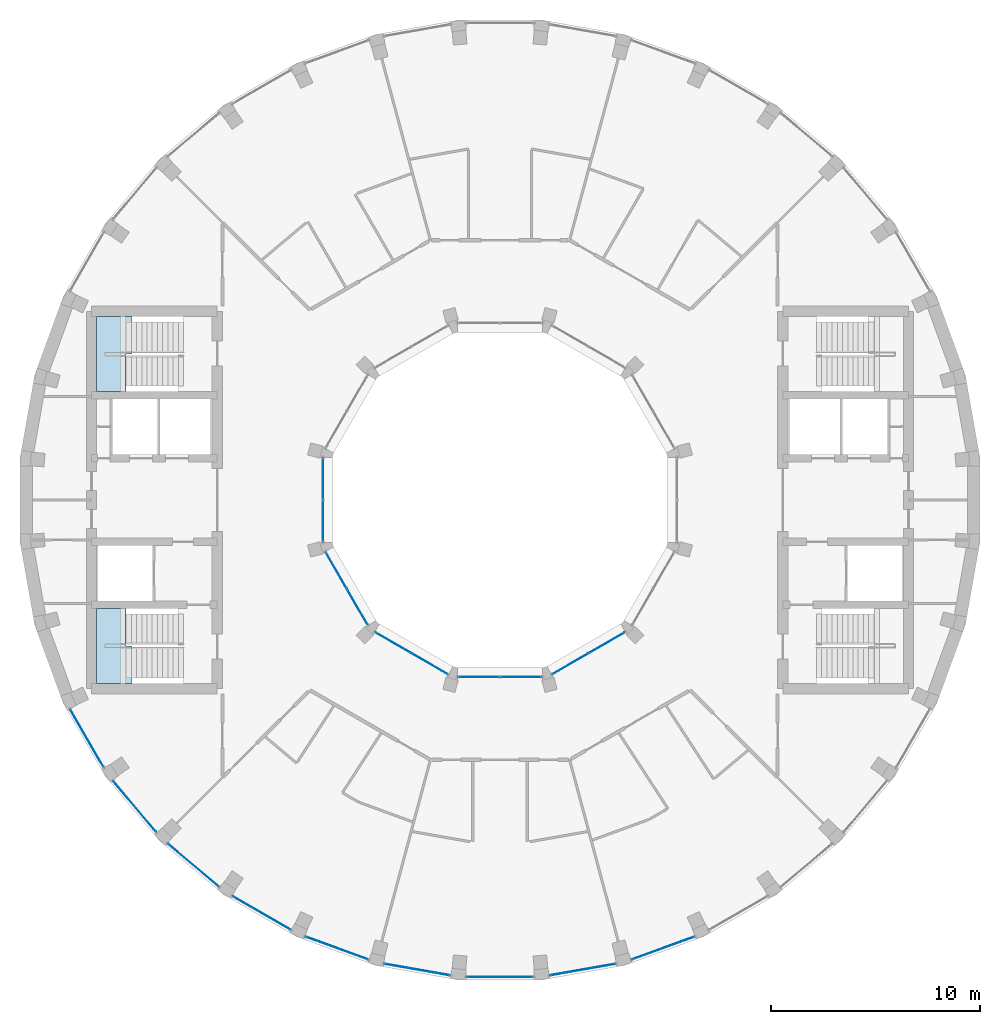
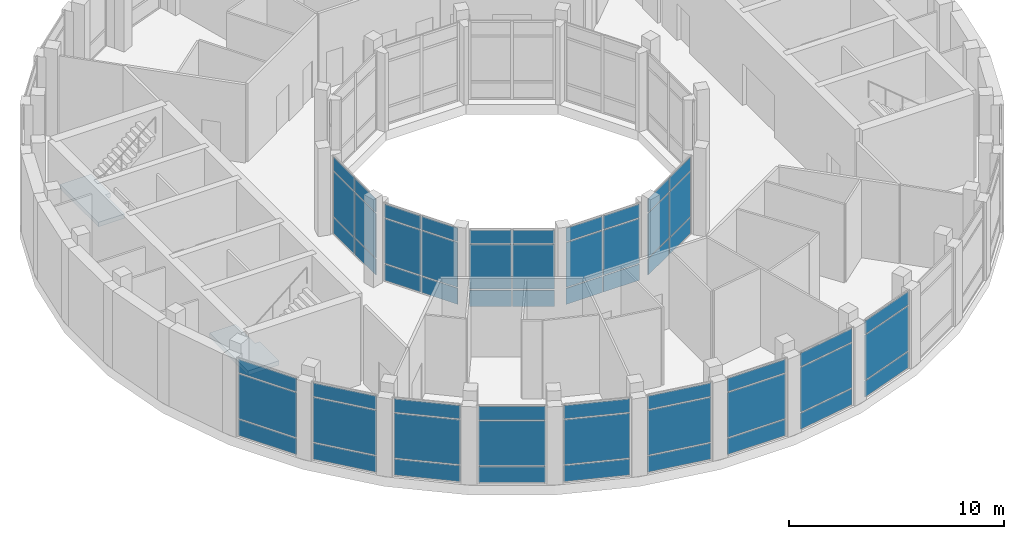
# One storey, part 8 of 16: 57 plates, 2 slabs, 16 elements without a shape of their own.
"""IFC4 building model written with IfcOpenShell, lengths in metres."""

from ifc_helpers import new_model, si_unit, direction, frame, origin, origin_2d, place, context, subcontext, project, spatial, polyline, rectangle, outline, extrude, material, layer, layer_set, type_object, element, aggregate, save


model = new_model("IFC4")

# Units and contexts
model_context = context("Model", 3, precision=1e-05, world=origin(), true_north=direction((0.0, 1.0)))
body_context = subcontext(model_context, "Body", "Model", "MODEL_VIEW")
ifc_project = project(units=[si_unit("LENGTHUNIT", "METRE"), si_unit("AREAUNIT", "SQUARE_METRE"), si_unit("VOLUMEUNIT", "CUBIC_METRE"), si_unit("PLANEANGLEUNIT", "RADIAN"), si_unit("MASSUNIT", "GRAM", prefix="KILO")], contexts=[model_context])

# Site, building, storey
site_placement = place(None, origin())
site = spatial("IfcSite", under=ifc_project, at=site_placement, CompositionType="ELEMENT")
building_placement = place(site_placement, origin())
building = spatial("IfcBuilding", under=site, at=building_placement, Name="Saqina Gate Tower", CompositionType="ELEMENT")
storey_placement = place(building_placement, frame((0.0, 0.0, 279.199951171875)))
storey = spatial("IfcBuildingStorey", under=building, at=storey_placement, Name="L80", CompositionType="ELEMENT", Elevation=279.199951171875)

# Curtain wall, plates
ifc_material_1 = material(Name="Aluminium glazing", Category="aluminium")
ifc_layer_1 = layer(ifc_material_1, 0.159912109375)
ifc_layer_set_1 = layer_set([ifc_layer_1], Name="CWT-2")
curtain_wall_type_1 = type_object("IfcCurtainWallType", Name="CWT-2", PredefinedType="NOTDEFINED", material=ifc_layer_set_1)
curtain_wall_1_placement = place(storey_placement, origin())
curtain_wall_1 = element("IfcCurtainWall", 1, at=curtain_wall_1_placement, inside=storey, type_object=curtain_wall_type_1, Name="Sky lounge glazing facet 21", PredefinedType="NOTDEFINED")
ifc_material_2 = material(Name="Glass", Category="glass")
ifc_layer_2 = layer(ifc_material_2, 0.028076171875)
ifc_layer_set_2 = layer_set([ifc_layer_2], Name="CWT-2P")
plate_type_1 = type_object("IfcPlateType", Name="CWT-2P", PredefinedType="CURTAIN_PANEL", material=ifc_layer_set_2)
plate_1_placement = place(storey_placement, frame((-19.712890625, -11.38134765625, 0.06005859375), z_axis=(0.0, 0.0, 1.0), x_axis=(0.499982449212, -0.8660355365, 0.0)))
plate_1 = element("IfcPlate", 2, at=plate_1_placement, type_object=plate_type_1, Name="CW2-21 panel 1.1", PredefinedType="CURTAIN_PANEL", context=body_context, shape_type="SweptSolid", body=[
    extrude(rectangle(XDim=3.1318359375, YDim=0.028076171875, at=origin_2d()), origin(), (0.0, 0.0, 1.0), 0.909912109375),
])
plate_2_placement = place(storey_placement, frame((-19.712890625, -11.38134765625, 1.030029296875), z_axis=(0.0, 0.0, 1.0), x_axis=(0.499982449212, -0.8660355365, 0.0)))
plate_2 = element("IfcPlate", 3, at=plate_2_placement, type_object=plate_type_1, Name="CW2-21 panel 1.2", PredefinedType="CURTAIN_PANEL", context=body_context, shape_type="SweptSolid", body=[
    extrude(rectangle(XDim=3.1318359375, YDim=0.028076171875, at=origin_2d()), origin(), (0.0, 0.0, 1.0), 2.5400390625),
])
plate_3_placement = place(storey_placement, frame((-19.712890625, -11.38134765625, 3.6298828125), z_axis=(0.0, 0.0, 1.0), x_axis=(0.499982449212, -0.8660355365, 0.0)))
plate_3 = element("IfcPlate", 4, at=plate_3_placement, type_object=plate_type_1, Name="CW2-21 panel 1.3", PredefinedType="CURTAIN_PANEL", context=body_context, shape_type="SweptSolid", body=[
    extrude(rectangle(XDim=3.1318359375, YDim=0.028076171875, at=origin_2d()), origin(), (0.0, 0.0, 1.0), 0.760009765625),
])
aggregate(curtain_wall_1, [plate_1, plate_2, plate_3])

curtain_wall_2_placement = place(storey_placement, origin())
curtain_wall_2 = element("IfcCurtainWall", 5, at=curtain_wall_2_placement, inside=storey, type_object=curtain_wall_type_1, Name="Sky lounge glazing facet 22", PredefinedType="NOTDEFINED")
plate_4_placement = place(storey_placement, frame((-17.43701171875, -14.63134765625, 0.06005859375), z_axis=(0.0, 0.0, 1.0), x_axis=(0.642785214609, -0.766046452821, 0.0)))
plate_4 = element("IfcPlate", 6, at=plate_4_placement, type_object=plate_type_1, Name="CW2-22 panel 1.1", PredefinedType="CURTAIN_PANEL", context=body_context, shape_type="SweptSolid", body=[
    extrude(rectangle(XDim=3.131591796875, YDim=0.028076171875, at=origin_2d()), origin(), (0.0, 0.0, 1.0), 0.909912109375),
])
plate_5_placement = place(storey_placement, frame((-17.43701171875, -14.63134765625, 1.030029296875), z_axis=(0.0, 0.0, 1.0), x_axis=(0.642785214609, -0.766046452821, 0.0)))
plate_5 = element("IfcPlate", 7, at=plate_5_placement, type_object=plate_type_1, Name="CW2-22 panel 1.2", PredefinedType="CURTAIN_PANEL", context=body_context, shape_type="SweptSolid", body=[
    extrude(rectangle(XDim=3.131591796875, YDim=0.028076171875, at=origin_2d()), origin(), (0.0, 0.0, 1.0), 2.5400390625),
])
plate_6_placement = place(storey_placement, frame((-17.43701171875, -14.63134765625, 3.6298828125), z_axis=(0.0, 0.0, 1.0), x_axis=(0.642785214609, -0.766046452821, 0.0)))
plate_6 = element("IfcPlate", 8, at=plate_6_placement, type_object=plate_type_1, Name="CW2-22 panel 1.3", PredefinedType="CURTAIN_PANEL", context=body_context, shape_type="SweptSolid", body=[
    extrude(rectangle(XDim=3.131591796875, YDim=0.028076171875, at=origin_2d()), origin(), (0.0, 0.0, 1.0), 0.760009765625),
])
aggregate(curtain_wall_2, [plate_4, plate_5, plate_6])

curtain_wall_3_placement = place(storey_placement, origin())
curtain_wall_3 = element("IfcCurtainWall", 9, at=curtain_wall_3_placement, inside=storey, type_object=curtain_wall_type_1, Name="Sky lounge glazing facet 23", PredefinedType="NOTDEFINED")
plate_7_placement = place(storey_placement, frame((-14.63134765625, -17.43701171875, 0.06005859375), z_axis=(0.0, 0.0, 1.0), x_axis=(0.766046452821, -0.642785214609, 0.0)))
plate_7 = element("IfcPlate", 10, at=plate_7_placement, type_object=plate_type_1, Name="CW2-23 panel 1.1", PredefinedType="CURTAIN_PANEL", context=body_context, shape_type="SweptSolid", body=[
    extrude(rectangle(XDim=3.131591796875, YDim=0.028076171875, at=origin_2d()), origin(), (0.0, 0.0, 1.0), 0.909912109375),
])
plate_8_placement = place(storey_placement, frame((-14.63134765625, -17.43701171875, 1.030029296875), z_axis=(0.0, 0.0, 1.0), x_axis=(0.766046452821, -0.642785214609, 0.0)))
plate_8 = element("IfcPlate", 11, at=plate_8_placement, type_object=plate_type_1, Name="CW2-23 panel 1.2", PredefinedType="CURTAIN_PANEL", context=body_context, shape_type="SweptSolid", body=[
    extrude(rectangle(XDim=3.131591796875, YDim=0.028076171875, at=origin_2d()), origin(), (0.0, 0.0, 1.0), 2.5400390625),
])
plate_9_placement = place(storey_placement, frame((-14.63134765625, -17.43701171875, 3.6298828125), z_axis=(0.0, 0.0, 1.0), x_axis=(0.766046452821, -0.642785214609, 0.0)))
plate_9 = element("IfcPlate", 12, at=plate_9_placement, type_object=plate_type_1, Name="CW2-23 panel 1.3", PredefinedType="CURTAIN_PANEL", context=body_context, shape_type="SweptSolid", body=[
    extrude(rectangle(XDim=3.131591796875, YDim=0.028076171875, at=origin_2d()), origin(), (0.0, 0.0, 1.0), 0.760009765625),
])
aggregate(curtain_wall_3, [plate_7, plate_8, plate_9])

curtain_wall_4_placement = place(storey_placement, origin())
curtain_wall_4 = element("IfcCurtainWall", 13, at=curtain_wall_4_placement, inside=storey, type_object=curtain_wall_type_1, Name="Sky lounge glazing facet 24", PredefinedType="NOTDEFINED")
plate_10_placement = place(storey_placement, frame((-11.38134765625, -19.712890625, 0.06005859375), z_axis=(0.0, 0.0, 1.0), x_axis=(0.8660355365, -0.499982449212, 0.0)))
plate_10 = element("IfcPlate", 14, at=plate_10_placement, type_object=plate_type_1, Name="CW2-24 panel 1.1", PredefinedType="CURTAIN_PANEL", context=body_context, shape_type="SweptSolid", body=[
    extrude(rectangle(XDim=3.1318359375, YDim=0.028076171875, at=origin_2d()), origin(), (0.0, 0.0, 1.0), 0.909912109375),
])
plate_11_placement = place(storey_placement, frame((-11.38134765625, -19.712890625, 1.030029296875), z_axis=(0.0, 0.0, 1.0), x_axis=(0.8660355365, -0.499982449212, 0.0)))
plate_11 = element("IfcPlate", 15, at=plate_11_placement, type_object=plate_type_1, Name="CW2-24 panel 1.2", PredefinedType="CURTAIN_PANEL", context=body_context, shape_type="SweptSolid", body=[
    extrude(rectangle(XDim=3.1318359375, YDim=0.028076171875, at=origin_2d()), origin(), (0.0, 0.0, 1.0), 2.5400390625),
])
plate_12_placement = place(storey_placement, frame((-11.38134765625, -19.712890625, 3.6298828125), z_axis=(0.0, 0.0, 1.0), x_axis=(0.8660355365, -0.499982449212, 0.0)))
plate_12 = element("IfcPlate", 16, at=plate_12_placement, type_object=plate_type_1, Name="CW2-24 panel 1.3", PredefinedType="CURTAIN_PANEL", context=body_context, shape_type="SweptSolid", body=[
    extrude(rectangle(XDim=3.1318359375, YDim=0.028076171875, at=origin_2d()), origin(), (0.0, 0.0, 1.0), 0.760009765625),
])
aggregate(curtain_wall_4, [plate_10, plate_11, plate_12])

curtain_wall_5_placement = place(storey_placement, origin())
curtain_wall_5 = element("IfcCurtainWall", 17, at=curtain_wall_5_placement, inside=storey, type_object=curtain_wall_type_1, Name="Sky lounge glazing facet 25", PredefinedType="NOTDEFINED")
plate_13_placement = place(storey_placement, frame((-7.78515625, -21.3896484375, 0.06005859375), z_axis=(0.0, 0.0, 1.0), x_axis=(0.939697310402, -0.342007258437, 0.0)))
plate_13 = element("IfcPlate", 18, at=plate_13_placement, type_object=plate_type_1, Name="CW2-25 panel 1.1", PredefinedType="CURTAIN_PANEL", context=body_context, shape_type="SweptSolid", body=[
    extrude(rectangle(XDim=3.131591796875, YDim=0.028076171875, at=origin_2d()), origin(), (0.0, 0.0, 1.0), 0.909912109375),
])
plate_14_placement = place(storey_placement, frame((-7.78515625, -21.3896484375, 1.030029296875), z_axis=(0.0, 0.0, 1.0), x_axis=(0.939697310402, -0.342007258437, 0.0)))
plate_14 = element("IfcPlate", 19, at=plate_14_placement, type_object=plate_type_1, Name="CW2-25 panel 1.2", PredefinedType="CURTAIN_PANEL", context=body_context, shape_type="SweptSolid", body=[
    extrude(rectangle(XDim=3.131591796875, YDim=0.028076171875, at=origin_2d()), origin(), (0.0, 0.0, 1.0), 2.5400390625),
])
plate_15_placement = place(storey_placement, frame((-7.78515625, -21.3896484375, 3.6298828125), z_axis=(0.0, 0.0, 1.0), x_axis=(0.939697310402, -0.342007258437, 0.0)))
plate_15 = element("IfcPlate", 20, at=plate_15_placement, type_object=plate_type_1, Name="CW2-25 panel 1.3", PredefinedType="CURTAIN_PANEL", context=body_context, shape_type="SweptSolid", body=[
    extrude(rectangle(XDim=3.131591796875, YDim=0.028076171875, at=origin_2d()), origin(), (0.0, 0.0, 1.0), 0.760009765625),
])
aggregate(curtain_wall_5, [plate_13, plate_14, plate_15])

curtain_wall_6_placement = place(storey_placement, origin())
curtain_wall_6 = element("IfcCurtainWall", 21, at=curtain_wall_6_placement, inside=storey, type_object=curtain_wall_type_1, Name="Sky lounge glazing facet 26", PredefinedType="NOTDEFINED")
plate_16_placement = place(storey_placement, frame((-3.95263671875, -22.416748046875, 0.06005859375), z_axis=(0.0, 0.0, 1.0), x_axis=(0.984805222779, -0.173662526718, 0.0)))
plate_16 = element("IfcPlate", 22, at=plate_16_placement, type_object=plate_type_1, Name="CW2-26 panel 1.1", PredefinedType="CURTAIN_PANEL", context=body_context, shape_type="SweptSolid", body=[
    extrude(rectangle(XDim=3.131591796875, YDim=0.028076171875, at=origin_2d()), origin(), (0.0, 0.0, 1.0), 0.909912109375),
])
plate_17_placement = place(storey_placement, frame((-3.95263671875, -22.416748046875, 1.030029296875), z_axis=(0.0, 0.0, 1.0), x_axis=(0.984805222779, -0.173662526718, 0.0)))
plate_17 = element("IfcPlate", 23, at=plate_17_placement, type_object=plate_type_1, Name="CW2-26 panel 1.2", PredefinedType="CURTAIN_PANEL", context=body_context, shape_type="SweptSolid", body=[
    extrude(rectangle(XDim=3.131591796875, YDim=0.028076171875, at=origin_2d()), origin(), (0.0, 0.0, 1.0), 2.5400390625),
])
plate_18_placement = place(storey_placement, frame((-3.95263671875, -22.416748046875, 3.6298828125), z_axis=(0.0, 0.0, 1.0), x_axis=(0.984805222779, -0.173662526718, 0.0)))
plate_18 = element("IfcPlate", 24, at=plate_18_placement, type_object=plate_type_1, Name="CW2-26 panel 1.3", PredefinedType="CURTAIN_PANEL", context=body_context, shape_type="SweptSolid", body=[
    extrude(rectangle(XDim=3.131591796875, YDim=0.028076171875, at=origin_2d()), origin(), (0.0, 0.0, 1.0), 0.760009765625),
])
aggregate(curtain_wall_6, [plate_16, plate_17, plate_18])

curtain_wall_7_placement = place(storey_placement, origin())
curtain_wall_7 = element("IfcCurtainWall", 25, at=curtain_wall_7_placement, inside=storey, type_object=curtain_wall_type_1, Name="Sky lounge glazing facet 27", PredefinedType="NOTDEFINED")
plate_19_placement = place(storey_placement, frame((0.0, -22.762451171875, 0.06005859375), z_axis=(0.0, 0.0, 1.0), x_axis=(1.0, 0.0, 0.0)))
plate_19 = element("IfcPlate", 26, at=plate_19_placement, type_object=plate_type_1, Name="CW2-27 panel 1.1", PredefinedType="CURTAIN_PANEL", context=body_context, shape_type="SweptSolid", body=[
    extrude(rectangle(XDim=3.131591796875, YDim=0.028076171875, at=origin_2d()), origin(), (0.0, 0.0, 1.0), 0.909912109375),
])
plate_20_placement = place(storey_placement, frame((0.0, -22.762451171875, 1.030029296875), z_axis=(0.0, 0.0, 1.0), x_axis=(1.0, 0.0, 0.0)))
plate_20 = element("IfcPlate", 27, at=plate_20_placement, type_object=plate_type_1, Name="CW2-27 panel 1.2", PredefinedType="CURTAIN_PANEL", context=body_context, shape_type="SweptSolid", body=[
    extrude(rectangle(XDim=3.131591796875, YDim=0.028076171875, at=origin_2d()), origin(), (0.0, 0.0, 1.0), 2.5400390625),
])
plate_21_placement = place(storey_placement, frame((0.0, -22.762451171875, 3.6298828125), z_axis=(0.0, 0.0, 1.0), x_axis=(1.0, 0.0, 0.0)))
plate_21 = element("IfcPlate", 28, at=plate_21_placement, type_object=plate_type_1, Name="CW2-27 panel 1.3", PredefinedType="CURTAIN_PANEL", context=body_context, shape_type="SweptSolid", body=[
    extrude(rectangle(XDim=3.131591796875, YDim=0.028076171875, at=origin_2d()), origin(), (0.0, 0.0, 1.0), 0.760009765625),
])
aggregate(curtain_wall_7, [plate_19, plate_20, plate_21])

curtain_wall_8_placement = place(storey_placement, origin())
curtain_wall_8 = element("IfcCurtainWall", 29, at=curtain_wall_8_placement, inside=storey, type_object=curtain_wall_type_1, Name="Sky lounge glazing facet 28", PredefinedType="NOTDEFINED")
plate_22_placement = place(storey_placement, frame((3.95263671875, -22.416748046875, 0.06005859375), z_axis=(0.0, 0.0, 1.0), x_axis=(0.984805222779, 0.173662526718, 0.0)))
plate_22 = element("IfcPlate", 30, at=plate_22_placement, type_object=plate_type_1, Name="CW2-28 panel 1.1", PredefinedType="CURTAIN_PANEL", context=body_context, shape_type="SweptSolid", body=[
    extrude(rectangle(XDim=3.131591796875, YDim=0.028076171875, at=origin_2d()), origin(), (0.0, 0.0, 1.0), 0.909912109375),
])
plate_23_placement = place(storey_placement, frame((3.95263671875, -22.416748046875, 1.030029296875), z_axis=(0.0, 0.0, 1.0), x_axis=(0.984805222779, 0.173662526718, 0.0)))
plate_23 = element("IfcPlate", 31, at=plate_23_placement, type_object=plate_type_1, Name="CW2-28 panel 1.2", PredefinedType="CURTAIN_PANEL", context=body_context, shape_type="SweptSolid", body=[
    extrude(rectangle(XDim=3.131591796875, YDim=0.028076171875, at=origin_2d()), origin(), (0.0, 0.0, 1.0), 2.5400390625),
])
plate_24_placement = place(storey_placement, frame((3.95263671875, -22.416748046875, 3.6298828125), z_axis=(0.0, 0.0, 1.0), x_axis=(0.984805222779, 0.173662526718, 0.0)))
plate_24 = element("IfcPlate", 32, at=plate_24_placement, type_object=plate_type_1, Name="CW2-28 panel 1.3", PredefinedType="CURTAIN_PANEL", context=body_context, shape_type="SweptSolid", body=[
    extrude(rectangle(XDim=3.131591796875, YDim=0.028076171875, at=origin_2d()), origin(), (0.0, 0.0, 1.0), 0.760009765625),
])
aggregate(curtain_wall_8, [plate_22, plate_23, plate_24])

curtain_wall_9_placement = place(storey_placement, origin())
curtain_wall_9 = element("IfcCurtainWall", 33, at=curtain_wall_9_placement, inside=storey, type_object=curtain_wall_type_1, Name="Sky lounge glazing facet 29", PredefinedType="NOTDEFINED")
plate_25_placement = place(storey_placement, frame((7.78515625, -21.3896484375, 0.06005859375), z_axis=(0.0, 0.0, 1.0), x_axis=(0.939697310402, 0.342007258437, 0.0)))
plate_25 = element("IfcPlate", 34, at=plate_25_placement, type_object=plate_type_1, Name="CW2-29 panel 1.1", PredefinedType="CURTAIN_PANEL", context=body_context, shape_type="SweptSolid", body=[
    extrude(rectangle(XDim=3.131591796875, YDim=0.028076171875, at=origin_2d()), origin(), (0.0, 0.0, 1.0), 0.909912109375),
])
plate_26_placement = place(storey_placement, frame((7.78515625, -21.3896484375, 1.030029296875), z_axis=(0.0, 0.0, 1.0), x_axis=(0.939697310402, 0.342007258437, 0.0)))
plate_26 = element("IfcPlate", 35, at=plate_26_placement, type_object=plate_type_1, Name="CW2-29 panel 1.2", PredefinedType="CURTAIN_PANEL", context=body_context, shape_type="SweptSolid", body=[
    extrude(rectangle(XDim=3.131591796875, YDim=0.028076171875, at=origin_2d()), origin(), (0.0, 0.0, 1.0), 2.5400390625),
])
plate_27_placement = place(storey_placement, frame((7.78515625, -21.3896484375, 3.6298828125), z_axis=(0.0, 0.0, 1.0), x_axis=(0.939697310402, 0.342007258437, 0.0)))
plate_27 = element("IfcPlate", 36, at=plate_27_placement, type_object=plate_type_1, Name="CW2-29 panel 1.3", PredefinedType="CURTAIN_PANEL", context=body_context, shape_type="SweptSolid", body=[
    extrude(rectangle(XDim=3.131591796875, YDim=0.028076171875, at=origin_2d()), origin(), (0.0, 0.0, 1.0), 0.760009765625),
])
aggregate(curtain_wall_9, [plate_25, plate_26, plate_27])

ifc_material_3 = material(Name="Aluminium glazing", Category="aluminium")
ifc_layer_3 = layer(ifc_material_3, 0.159912109375)
ifc_layer_set_3 = layer_set([ifc_layer_3], Name="CWT-3")
curtain_wall_type_2 = type_object("IfcCurtainWallType", Name="CWT-3", PredefinedType="NOTDEFINED", material=ifc_layer_set_3)
curtain_wall_10_placement = place(storey_placement, origin())
curtain_wall_10 = element("IfcCurtainWall", 37, at=curtain_wall_10_placement, inside=storey, type_object=curtain_wall_type_2, Name="Sky lounge well glazing L80 facet 6", PredefinedType="NOTDEFINED")
ifc_material_4 = material(Name="Glass", Category="glass")
ifc_layer_4 = layer(ifc_material_4, 0.028076171875)
ifc_layer_set_4 = layer_set([ifc_layer_4], Name="CWT-3P")
plate_type_2 = type_object("IfcPlateType", Name="CWT-3P", PredefinedType="CURTAIN_PANEL", material=ifc_layer_set_4)
plate_28_placement = place(storey_placement, frame((-8.449951171875, 0.999755859375, 0.06005859375), z_axis=(0.0, 0.0, 1.0), x_axis=(0.0, -1.0, 0.0)))
plate_28 = element("IfcPlate", 38, at=plate_28_placement, type_object=plate_type_2, Name="CW3-06 panel 1.1", PredefinedType="CURTAIN_PANEL", context=body_context, shape_type="SweptSolid", body=[
    extrude(rectangle(XDim=1.939453125, YDim=0.028076171875, at=origin_2d()), origin(), (0.0, 0.0, 1.0), 0.909912109375),
])
plate_29_placement = place(storey_placement, frame((-8.449951171875, 0.999755859375, 1.030029296875), z_axis=(0.0, 0.0, 1.0), x_axis=(0.0, -1.0, 0.0)))
plate_29 = element("IfcPlate", 39, at=plate_29_placement, type_object=plate_type_2, Name="CW3-06 panel 1.2", PredefinedType="CURTAIN_PANEL", context=body_context, shape_type="SweptSolid", body=[
    extrude(rectangle(XDim=1.939453125, YDim=0.028076171875, at=origin_2d()), origin(), (0.0, 0.0, 1.0), 2.5400390625),
])
plate_30_placement = place(storey_placement, frame((-8.449951171875, 0.999755859375, 3.6298828125), z_axis=(0.0, 0.0, 1.0), x_axis=(0.0, -1.0, 0.0)))
plate_30 = element("IfcPlate", 40, at=plate_30_placement, type_object=plate_type_2, Name="CW3-06 panel 1.3", PredefinedType="CURTAIN_PANEL", context=body_context, shape_type="SweptSolid", body=[
    extrude(rectangle(XDim=1.939453125, YDim=0.028076171875, at=origin_2d()), origin(), (0.0, 0.0, 1.0), 0.760009765625),
])
plate_31_placement = place(storey_placement, frame((-8.449951171875, -0.999755859375, 0.06005859375), z_axis=(0.0, 0.0, 1.0), x_axis=(0.0, -1.0, 0.0)))
plate_31 = element("IfcPlate", 41, at=plate_31_placement, type_object=plate_type_2, Name="CW3-06 panel 2.1", PredefinedType="CURTAIN_PANEL", context=body_context, shape_type="SweptSolid", body=[
    extrude(rectangle(XDim=1.939453125, YDim=0.028076171875, at=origin_2d()), origin(), (0.0, 0.0, 1.0), 0.909912109375),
])
plate_32_placement = place(storey_placement, frame((-8.449951171875, -0.999755859375, 1.030029296875), z_axis=(0.0, 0.0, 1.0), x_axis=(0.0, -1.0, 0.0)))
plate_32 = element("IfcPlate", 42, at=plate_32_placement, type_object=plate_type_2, Name="CW3-06 panel 2.2", PredefinedType="CURTAIN_PANEL", context=body_context, shape_type="SweptSolid", body=[
    extrude(rectangle(XDim=1.939453125, YDim=0.028076171875, at=origin_2d()), origin(), (0.0, 0.0, 1.0), 2.5400390625),
])
plate_33_placement = place(storey_placement, frame((-8.449951171875, -0.999755859375, 3.6298828125), z_axis=(0.0, 0.0, 1.0), x_axis=(0.0, -1.0, 0.0)))
plate_33 = element("IfcPlate", 43, at=plate_33_placement, type_object=plate_type_2, Name="CW3-06 panel 2.3", PredefinedType="CURTAIN_PANEL", context=body_context, shape_type="SweptSolid", body=[
    extrude(rectangle(XDim=1.939453125, YDim=0.028076171875, at=origin_2d()), origin(), (0.0, 0.0, 1.0), 0.760009765625),
])
aggregate(curtain_wall_10, [plate_28, plate_29, plate_30, plate_31, plate_32, plate_33])

curtain_wall_11_placement = place(storey_placement, origin())
curtain_wall_11 = element("IfcCurtainWall", 44, at=curtain_wall_11_placement, inside=storey, type_object=curtain_wall_type_2, Name="Sky lounge well glazing L80 facet 7", PredefinedType="NOTDEFINED")
plate_34_placement = place(storey_placement, frame((-7.81787109375, -3.359130859375, 0.06005859375), z_axis=(0.0, 0.0, 1.0), x_axis=(0.500002550729, -0.866023931115, 0.0)))
plate_34 = element("IfcPlate", 45, at=plate_34_placement, type_object=plate_type_2, Name="CW3-07 panel 1.1", PredefinedType="CURTAIN_PANEL", context=body_context, shape_type="SweptSolid", body=[
    extrude(rectangle(XDim=1.939453125, YDim=0.028076171875, at=origin_2d()), origin(), (0.0, 0.0, 1.0), 0.909912109375),
])
plate_35_placement = place(storey_placement, frame((-7.81787109375, -3.359130859375, 1.030029296875), z_axis=(0.0, 0.0, 1.0), x_axis=(0.500002550729, -0.866023931115, 0.0)))
plate_35 = element("IfcPlate", 46, at=plate_35_placement, type_object=plate_type_2, Name="CW3-07 panel 1.2", PredefinedType="CURTAIN_PANEL", context=body_context, shape_type="SweptSolid", body=[
    extrude(rectangle(XDim=1.939453125, YDim=0.028076171875, at=origin_2d()), origin(), (0.0, 0.0, 1.0), 2.5400390625),
])
plate_36_placement = place(storey_placement, frame((-7.81787109375, -3.359130859375, 3.6298828125), z_axis=(0.0, 0.0, 1.0), x_axis=(0.500002550729, -0.866023931115, 0.0)))
plate_36 = element("IfcPlate", 47, at=plate_36_placement, type_object=plate_type_2, Name="CW3-07 panel 1.3", PredefinedType="CURTAIN_PANEL", context=body_context, shape_type="SweptSolid", body=[
    extrude(rectangle(XDim=1.939453125, YDim=0.028076171875, at=origin_2d()), origin(), (0.0, 0.0, 1.0), 0.760009765625),
])
plate_37_placement = place(storey_placement, frame((-6.818115234375, -5.0908203125, 0.06005859375), z_axis=(0.0, 0.0, 1.0), x_axis=(0.500002550729, -0.866023931115, 0.0)))
plate_37 = element("IfcPlate", 48, at=plate_37_placement, type_object=plate_type_2, Name="CW3-07 panel 2.1", PredefinedType="CURTAIN_PANEL", context=body_context, shape_type="SweptSolid", body=[
    extrude(rectangle(XDim=1.939453125, YDim=0.028076171875, at=origin_2d()), origin(), (0.0, 0.0, 1.0), 0.909912109375),
])
plate_38_placement = place(storey_placement, frame((-6.818115234375, -5.0908203125, 1.030029296875), z_axis=(0.0, 0.0, 1.0), x_axis=(0.500002550729, -0.866023931115, 0.0)))
plate_38 = element("IfcPlate", 49, at=plate_38_placement, type_object=plate_type_2, Name="CW3-07 panel 2.2", PredefinedType="CURTAIN_PANEL", context=body_context, shape_type="SweptSolid", body=[
    extrude(rectangle(XDim=1.939453125, YDim=0.028076171875, at=origin_2d()), origin(), (0.0, 0.0, 1.0), 2.5400390625),
])
plate_39_placement = place(storey_placement, frame((-6.818115234375, -5.0908203125, 3.6298828125), z_axis=(0.0, 0.0, 1.0), x_axis=(0.500002550729, -0.866023931115, 0.0)))
plate_39 = element("IfcPlate", 50, at=plate_39_placement, type_object=plate_type_2, Name="CW3-07 panel 2.3", PredefinedType="CURTAIN_PANEL", context=body_context, shape_type="SweptSolid", body=[
    extrude(rectangle(XDim=1.939453125, YDim=0.028076171875, at=origin_2d()), origin(), (0.0, 0.0, 1.0), 0.760009765625),
])
aggregate(curtain_wall_11, [plate_34, plate_35, plate_36, plate_37, plate_38, plate_39])

curtain_wall_12_placement = place(storey_placement, origin())
curtain_wall_12 = element("IfcCurtainWall", 51, at=curtain_wall_12_placement, inside=storey, type_object=curtain_wall_type_2, Name="Sky lounge well glazing L80 facet 8", PredefinedType="NOTDEFINED")
plate_40_placement = place(storey_placement, frame((-5.0908203125, -6.818115234375, 0.06005859375), z_axis=(0.0, 0.0, 1.0), x_axis=(0.866023931115, -0.500002550729, 0.0)))
plate_40 = element("IfcPlate", 52, at=plate_40_placement, type_object=plate_type_2, Name="CW3-08 panel 1.1", PredefinedType="CURTAIN_PANEL", context=body_context, shape_type="SweptSolid", body=[
    extrude(rectangle(XDim=1.939453125, YDim=0.028076171875, at=origin_2d()), origin(), (0.0, 0.0, 1.0), 0.909912109375),
])
plate_41_placement = place(storey_placement, frame((-5.0908203125, -6.818115234375, 1.030029296875), z_axis=(0.0, 0.0, 1.0), x_axis=(0.866023931115, -0.500002550729, 0.0)))
plate_41 = element("IfcPlate", 53, at=plate_41_placement, type_object=plate_type_2, Name="CW3-08 panel 1.2", PredefinedType="CURTAIN_PANEL", context=body_context, shape_type="SweptSolid", body=[
    extrude(rectangle(XDim=1.939453125, YDim=0.028076171875, at=origin_2d()), origin(), (0.0, 0.0, 1.0), 2.5400390625),
])
plate_42_placement = place(storey_placement, frame((-5.0908203125, -6.818115234375, 3.6298828125), z_axis=(0.0, 0.0, 1.0), x_axis=(0.866023931115, -0.500002550729, 0.0)))
plate_42 = element("IfcPlate", 54, at=plate_42_placement, type_object=plate_type_2, Name="CW3-08 panel 1.3", PredefinedType="CURTAIN_PANEL", context=body_context, shape_type="SweptSolid", body=[
    extrude(rectangle(XDim=1.939453125, YDim=0.028076171875, at=origin_2d()), origin(), (0.0, 0.0, 1.0), 0.760009765625),
])
plate_43_placement = place(storey_placement, frame((-3.359130859375, -7.81787109375, 0.06005859375), z_axis=(0.0, 0.0, 1.0), x_axis=(0.866023931115, -0.500002550729, 0.0)))
plate_43 = element("IfcPlate", 55, at=plate_43_placement, type_object=plate_type_2, Name="CW3-08 panel 2.1", PredefinedType="CURTAIN_PANEL", context=body_context, shape_type="SweptSolid", body=[
    extrude(rectangle(XDim=1.939453125, YDim=0.028076171875, at=origin_2d()), origin(), (0.0, 0.0, 1.0), 0.909912109375),
])
plate_44_placement = place(storey_placement, frame((-3.359130859375, -7.81787109375, 1.030029296875), z_axis=(0.0, 0.0, 1.0), x_axis=(0.866023931115, -0.500002550729, 0.0)))
plate_44 = element("IfcPlate", 56, at=plate_44_placement, type_object=plate_type_2, Name="CW3-08 panel 2.2", PredefinedType="CURTAIN_PANEL", context=body_context, shape_type="SweptSolid", body=[
    extrude(rectangle(XDim=1.939453125, YDim=0.028076171875, at=origin_2d()), origin(), (0.0, 0.0, 1.0), 2.5400390625),
])
plate_45_placement = place(storey_placement, frame((-3.359130859375, -7.81787109375, 3.6298828125), z_axis=(0.0, 0.0, 1.0), x_axis=(0.866023931115, -0.500002550729, 0.0)))
plate_45 = element("IfcPlate", 57, at=plate_45_placement, type_object=plate_type_2, Name="CW3-08 panel 2.3", PredefinedType="CURTAIN_PANEL", context=body_context, shape_type="SweptSolid", body=[
    extrude(rectangle(XDim=1.939453125, YDim=0.028076171875, at=origin_2d()), origin(), (0.0, 0.0, 1.0), 0.760009765625),
])
aggregate(curtain_wall_12, [plate_40, plate_41, plate_42, plate_43, plate_44, plate_45])

curtain_wall_13_placement = place(storey_placement, origin())
curtain_wall_13 = element("IfcCurtainWall", 58, at=curtain_wall_13_placement, inside=storey, type_object=curtain_wall_type_2, Name="Sky lounge well glazing L80 facet 9", PredefinedType="NOTDEFINED")
plate_46_placement = place(storey_placement, frame((-0.999755859375, -8.449951171875, 0.06005859375), z_axis=(0.0, 0.0, 1.0), x_axis=(1.0, 0.0, 0.0)))
plate_46 = element("IfcPlate", 59, at=plate_46_placement, type_object=plate_type_2, Name="CW3-09 panel 1.1", PredefinedType="CURTAIN_PANEL", context=body_context, shape_type="SweptSolid", body=[
    extrude(rectangle(XDim=1.939453125, YDim=0.028076171875, at=origin_2d()), origin(), (0.0, 0.0, 1.0), 0.909912109375),
])
plate_47_placement = place(storey_placement, frame((-0.999755859375, -8.449951171875, 1.030029296875), z_axis=(0.0, 0.0, 1.0), x_axis=(1.0, 0.0, 0.0)))
plate_47 = element("IfcPlate", 60, at=plate_47_placement, type_object=plate_type_2, Name="CW3-09 panel 1.2", PredefinedType="CURTAIN_PANEL", context=body_context, shape_type="SweptSolid", body=[
    extrude(rectangle(XDim=1.939453125, YDim=0.028076171875, at=origin_2d()), origin(), (0.0, 0.0, 1.0), 2.5400390625),
])
plate_48_placement = place(storey_placement, frame((-0.999755859375, -8.449951171875, 3.6298828125), z_axis=(0.0, 0.0, 1.0), x_axis=(1.0, 0.0, 0.0)))
plate_48 = element("IfcPlate", 61, at=plate_48_placement, type_object=plate_type_2, Name="CW3-09 panel 1.3", PredefinedType="CURTAIN_PANEL", context=body_context, shape_type="SweptSolid", body=[
    extrude(rectangle(XDim=1.939453125, YDim=0.028076171875, at=origin_2d()), origin(), (0.0, 0.0, 1.0), 0.760009765625),
])
plate_49_placement = place(storey_placement, frame((0.999755859375, -8.449951171875, 0.06005859375), z_axis=(0.0, 0.0, 1.0), x_axis=(1.0, 0.0, 0.0)))
plate_49 = element("IfcPlate", 62, at=plate_49_placement, type_object=plate_type_2, Name="CW3-09 panel 2.1", PredefinedType="CURTAIN_PANEL", context=body_context, shape_type="SweptSolid", body=[
    extrude(rectangle(XDim=1.939453125, YDim=0.028076171875, at=origin_2d()), origin(), (0.0, 0.0, 1.0), 0.909912109375),
])
plate_50_placement = place(storey_placement, frame((0.999755859375, -8.449951171875, 1.030029296875), z_axis=(0.0, 0.0, 1.0), x_axis=(1.0, 0.0, 0.0)))
plate_50 = element("IfcPlate", 63, at=plate_50_placement, type_object=plate_type_2, Name="CW3-09 panel 2.2", PredefinedType="CURTAIN_PANEL", context=body_context, shape_type="SweptSolid", body=[
    extrude(rectangle(XDim=1.939453125, YDim=0.028076171875, at=origin_2d()), origin(), (0.0, 0.0, 1.0), 2.5400390625),
])
plate_51_placement = place(storey_placement, frame((0.999755859375, -8.449951171875, 3.6298828125), z_axis=(0.0, 0.0, 1.0), x_axis=(1.0, 0.0, 0.0)))
plate_51 = element("IfcPlate", 64, at=plate_51_placement, type_object=plate_type_2, Name="CW3-09 panel 2.3", PredefinedType="CURTAIN_PANEL", context=body_context, shape_type="SweptSolid", body=[
    extrude(rectangle(XDim=1.939453125, YDim=0.028076171875, at=origin_2d()), origin(), (0.0, 0.0, 1.0), 0.760009765625),
])
aggregate(curtain_wall_13, [plate_46, plate_47, plate_48, plate_49, plate_50, plate_51])

curtain_wall_14_placement = place(storey_placement, origin())
curtain_wall_14 = element("IfcCurtainWall", 65, at=curtain_wall_14_placement, inside=storey, type_object=curtain_wall_type_2, Name="Sky lounge well glazing L80 facet 10", PredefinedType="NOTDEFINED")
plate_52_placement = place(storey_placement, frame((3.359130859375, -7.81787109375, 0.06005859375), z_axis=(0.0, 0.0, 1.0), x_axis=(0.866023931115, 0.500002550729, 0.0)))
plate_52 = element("IfcPlate", 66, at=plate_52_placement, type_object=plate_type_2, Name="CW3-10 panel 1.1", PredefinedType="CURTAIN_PANEL", context=body_context, shape_type="SweptSolid", body=[
    extrude(rectangle(XDim=1.939453125, YDim=0.028076171875, at=origin_2d()), origin(), (0.0, 0.0, 1.0), 0.909912109375),
])
plate_53_placement = place(storey_placement, frame((3.359130859375, -7.81787109375, 1.030029296875), z_axis=(0.0, 0.0, 1.0), x_axis=(0.866023931115, 0.500002550729, 0.0)))
plate_53 = element("IfcPlate", 67, at=plate_53_placement, type_object=plate_type_2, Name="CW3-10 panel 1.2", PredefinedType="CURTAIN_PANEL", context=body_context, shape_type="SweptSolid", body=[
    extrude(rectangle(XDim=1.939453125, YDim=0.028076171875, at=origin_2d()), origin(), (0.0, 0.0, 1.0), 2.5400390625),
])
plate_54_placement = place(storey_placement, frame((3.359130859375, -7.81787109375, 3.6298828125), z_axis=(0.0, 0.0, 1.0), x_axis=(0.866023931115, 0.500002550729, 0.0)))
plate_54 = element("IfcPlate", 68, at=plate_54_placement, type_object=plate_type_2, Name="CW3-10 panel 1.3", PredefinedType="CURTAIN_PANEL", context=body_context, shape_type="SweptSolid", body=[
    extrude(rectangle(XDim=1.939453125, YDim=0.028076171875, at=origin_2d()), origin(), (0.0, 0.0, 1.0), 0.760009765625),
])
plate_55_placement = place(storey_placement, frame((5.0908203125, -6.818115234375, 0.06005859375), z_axis=(0.0, 0.0, 1.0), x_axis=(0.866023931115, 0.500002550729, 0.0)))
plate_55 = element("IfcPlate", 69, at=plate_55_placement, type_object=plate_type_2, Name="CW3-10 panel 2.1", PredefinedType="CURTAIN_PANEL", context=body_context, shape_type="SweptSolid", body=[
    extrude(rectangle(XDim=1.939453125, YDim=0.028076171875, at=origin_2d()), origin(), (0.0, 0.0, 1.0), 0.909912109375),
])
plate_56_placement = place(storey_placement, frame((5.0908203125, -6.818115234375, 1.030029296875), z_axis=(0.0, 0.0, 1.0), x_axis=(0.866023931115, 0.500002550729, 0.0)))
plate_56 = element("IfcPlate", 70, at=plate_56_placement, type_object=plate_type_2, Name="CW3-10 panel 2.2", PredefinedType="CURTAIN_PANEL", context=body_context, shape_type="SweptSolid", body=[
    extrude(rectangle(XDim=1.939453125, YDim=0.028076171875, at=origin_2d()), origin(), (0.0, 0.0, 1.0), 2.5400390625),
])
plate_57_placement = place(storey_placement, frame((5.0908203125, -6.818115234375, 3.6298828125), z_axis=(0.0, 0.0, 1.0), x_axis=(0.866023931115, 0.500002550729, 0.0)))
plate_57 = element("IfcPlate", 71, at=plate_57_placement, type_object=plate_type_2, Name="CW3-10 panel 2.3", PredefinedType="CURTAIN_PANEL", context=body_context, shape_type="SweptSolid", body=[
    extrude(rectangle(XDim=1.939453125, YDim=0.028076171875, at=origin_2d()), origin(), (0.0, 0.0, 1.0), 0.760009765625),
])
aggregate(curtain_wall_14, [plate_52, plate_53, plate_54, plate_55, plate_56, plate_57])

# Stair, slab
ifc_material_5 = material(Name="Concrete C40/50", Category="concrete")
stair_type = type_object("IfcStairType", Name="EXIT STAIR", PredefinedType="HALF_TURN_STAIR", material=ifc_material_5)
stair_1_placement = place(storey_placement, origin())
stair_1 = element("IfcStair", 72, at=stair_1_placement, inside=storey, type_object=stair_type, Name="EXIT STAIR 3", PredefinedType="HALF_TURN_STAIR")
ifc_material_6 = material(Name="Concrete C40/50", Category="concrete")
ifc_layer_5 = layer(ifc_material_6, 0.25)
ifc_layer_set_5 = layer_set([ifc_layer_5], Name="Concrete C40/50")
slab_type = type_object("IfcSlabType", Name="EXIT STAIR LANDING", PredefinedType="LANDING", material=ifc_layer_set_5)
slab_1_placement = place(storey_placement, frame((0.0, 0.0, 2.25)))
slab_1 = element("IfcSlab", 73, at=slab_1_placement, type_object=slab_type, Name="EXIT STAIR 3 LANDING 1", PredefinedType="LANDING", context=body_context, shape_type="SweptSolid", body=[
    extrude(outline(polyline([(-17.844970703125, 5.175048828125), (-19.25, 5.175048828125), (-19.25, 8.75), (-17.85009765625, 8.75), (-17.844970703125, 8.75), (-17.57568359375, 8.75), (-17.57568359375, 6.96240234375), (-17.844970703125, 6.96240234375), (-17.844970703125, 5.175048828125)])), origin(), (0.0, 0.0, 1.0), 0.25),
])
aggregate(stair_1, [slab_1])

stair_2_placement = place(storey_placement, origin())
stair_2 = element("IfcStair", 74, at=stair_2_placement, inside=storey, type_object=stair_type, Name="EXIT STAIR 4", PredefinedType="HALF_TURN_STAIR")
slab_2_placement = place(storey_placement, frame((0.0, 0.0, 2.25)))
slab_2 = element("IfcSlab", 75, at=slab_2_placement, type_object=slab_type, Name="EXIT STAIR 4 LANDING 1", PredefinedType="LANDING", context=body_context, shape_type="SweptSolid", body=[
    extrude(outline(polyline([(-17.57568359375, -6.96240234375), (-17.57568359375, -8.75), (-17.844970703125, -8.75), (-17.85009765625, -8.75), (-19.25, -8.75), (-19.25, -5.175048828125), (-17.844970703125, -5.175048828125), (-17.844970703125, -6.96240234375), (-17.57568359375, -6.96240234375)])), origin(), (0.0, 0.0, 1.0), 0.25),
])
aggregate(stair_2, [slab_2])

save(model, "model.ifc")
